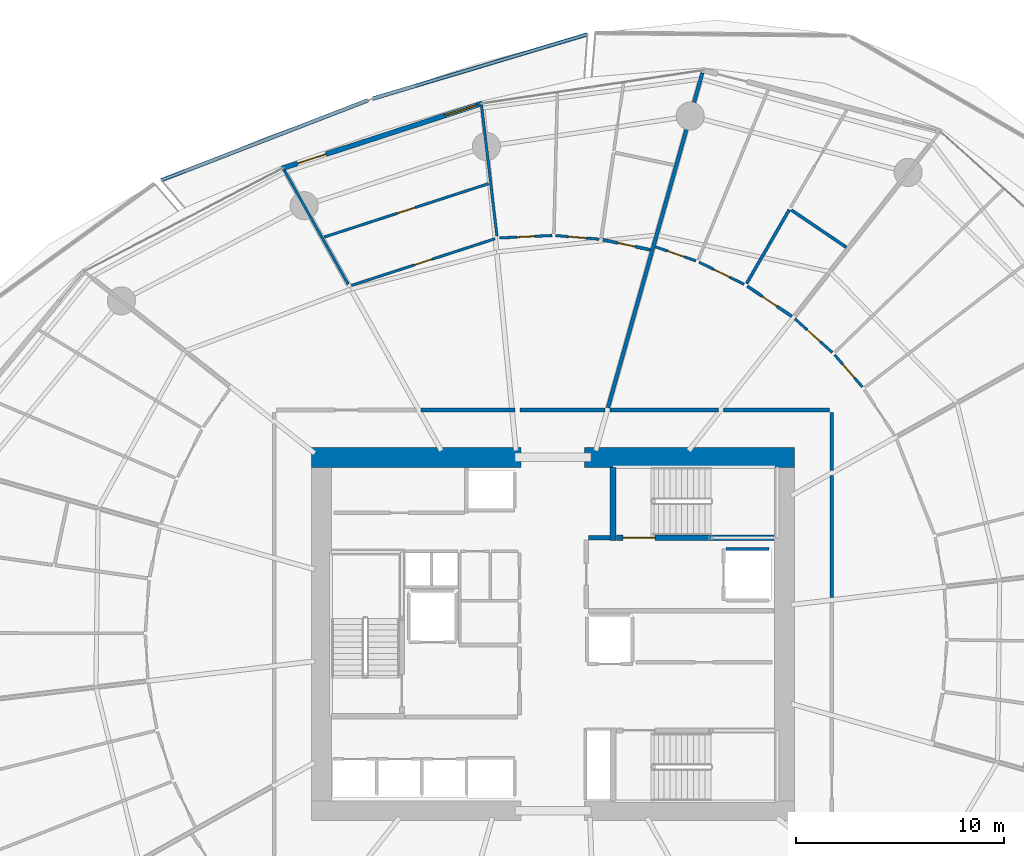
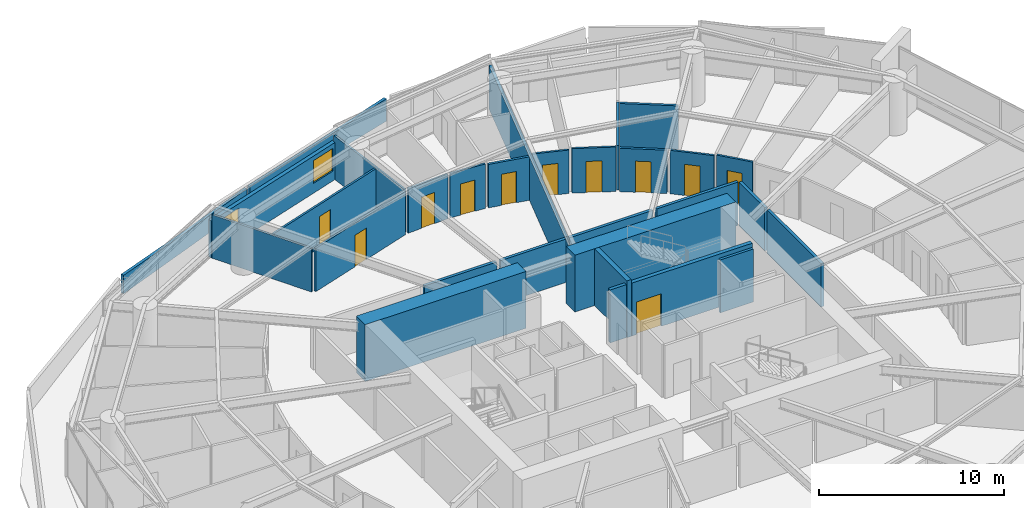
# One storey, part 23 of 31: 30 walls, 12 doors, 1 window, 13 openings.
"""IFC4 building model written with IfcOpenShell, lengths in metres."""

from ifc_helpers import new_model, si_unit, direction, frame, frame_2d, origin, place, context, subcontext, project, spatial, polyline, rectangle, outline, extrude, material, layer, layer_set, type_object, element, fill, save


model = new_model("IFC4")

# Units and contexts
model_context = context("Model", 3, precision=1e-05, world=origin(), true_north=direction((0.0, 1.0)))
body_context = subcontext(model_context, "Body", "Model", "MODEL_VIEW")
ifc_project = project(units=[si_unit("LENGTHUNIT", "METRE"), si_unit("AREAUNIT", "SQUARE_METRE"), si_unit("VOLUMEUNIT", "CUBIC_METRE"), si_unit("PLANEANGLEUNIT", "RADIAN"), si_unit("MASSUNIT", "GRAM", prefix="KILO")], contexts=[model_context])

# Site, building, storey
site_placement = place(None, origin())
site = spatial("IfcSite", under=ifc_project, at=site_placement, CompositionType="ELEMENT")
building_placement = place(site_placement, origin())
building = spatial("IfcBuilding", under=site, at=building_placement, Name="Kazma Halo Residences", CompositionType="ELEMENT")
storey_placement = place(building_placement, frame((0.0, 0.0, 41.39990234375)))
storey = spatial("IfcBuildingStorey", under=building, at=storey_placement, Name="L09", CompositionType="ELEMENT", Elevation=41.39990234375)

# Walls
ifc_material_1 = material(Name="White Concrete C50/60 Balustrade", Category="concrete")
ifc_layer_1 = layer(ifc_material_1, 0.179931640625)
ifc_layer_set_1 = layer_set([ifc_layer_1], Name="White Concrete C50/60 Balustrade")
wall_type_1 = type_object("IfcWallType", Name="WL-BAL-WAVE-180", PredefinedType="PARAPET", material=ifc_layer_set_1)
wall_1_placement = place(storey_placement, frame((50.08740234375, 70.7705078125, 0.0), z_axis=(0.0, 0.0, 1.0), x_axis=(-0.957966698042, -0.286879426664, 0.0)))
element("IfcWall", 1, at=wall_1_placement, inside=storey, type_object=wall_type_1, Name="L09 white wave balustrade wall NNW.1", PredefinedType="PARAPET", context=body_context, shape_type="SweptSolid", body=[
    extrude(outline(polyline([(0.0, 0.0), (10.758544921875, 0.0), (10.7587890625, 1.148193359375), (5.37939453125, 1.2841796875), (0.0, 1.483154296875), (0.0, 0.0)])), frame((0.0, 0.08984375, 0.0), z_axis=(0.0, -1.0, 0.0), x_axis=(1.0, 0.0, 0.0)), (0.0, 0.0, 1.0), 0.179931640625),
])
wall_2_placement = place(storey_placement, frame((39.553955078125, 67.606201171875, 0.0), z_axis=(0.0, 0.0, 1.0), x_axis=(-0.932670029618, -0.360730669409, 0.0)))
element("IfcWall", 2, at=wall_2_placement, inside=storey, type_object=wall_type_1, Name="L09 white wave balustrade wall NNW.2", PredefinedType="PARAPET", context=body_context, shape_type="SweptSolid", body=[
    extrude(outline(polyline([(0.0, 0.0), (10.634521484375, 0.0), (10.634521484375, 1.22412109375), (5.3173828125, 1.127197265625), (0.0, 1.148193359375), (0.0, 0.0)])), frame((0.0, 0.08984375, 0.0), z_axis=(0.0, -1.0, 0.0), x_axis=(1.0, 0.0, 0.0)), (0.0, 0.0, 1.0), 0.179931640625),
])
ifc_material_2 = material(Name="Concrete C80/95", Category="concrete")
ifc_layer_2 = layer(ifc_material_2, 0.949951171875)
ifc_layer_set_2 = layer_set([ifc_layer_2], Name="Concrete C80/95")
wall_type_2 = type_object("IfcWallType", Name="WL-CORE-950", PredefinedType="SHEAR", material=ifc_layer_set_2)
wall_3_placement = place(storey_placement, frame((36.85009765625, 50.47509765625, 0.0), z_axis=(0.0, 0.0, 1.0), x_axis=(1.0, 0.0, 0.0)))
element("IfcWall", 3, at=wall_3_placement, inside=storey, type_object=wall_type_2, Name="L09 central core shear wall NW", PredefinedType="SHEAR", context=body_context, shape_type="SweptSolid", body=[
    extrude(rectangle(XDim=10.0498046875, YDim=0.949951171875, at=frame_2d((5.02490234375, 0.0))), origin(), (0.0, 0.0, 1.0), 3.75),
])
wall_4_placement = place(storey_placement, frame((49.949951171875, 50.47509765625, 0.0), z_axis=(0.0, 0.0, 1.0), x_axis=(1.0, 0.0, 0.0)))
element("IfcWall", 4, at=wall_4_placement, inside=storey, type_object=wall_type_2, Name="L09 central core shear wall NE", PredefinedType="SHEAR", context=body_context, shape_type="SweptSolid", body=[
    extrude(rectangle(XDim=10.050048828125, YDim=0.949951171875, at=frame_2d((5.02490234375, 0.0))), origin(), (0.0, 0.0, 1.0), 3.75),
])
ifc_material_3 = material(Name="Concrete C60/75", Category="concrete")
ifc_layer_3 = layer(ifc_material_3, 0.280029296875)
ifc_layer_set_3 = layer_set([ifc_layer_3], Name="Concrete C60/75")
wall_type_3 = type_object("IfcWallType", Name="WL-CORE-ST-280", PredefinedType="SHEAR", material=ifc_layer_set_3)
wall_5_placement = place(storey_placement, frame((51.31005859375, 46.5, 0.0), z_axis=(0.0, 0.0, 1.0), x_axis=(0.0, 1.0, 0.0)))
element("IfcWall", 5, at=wall_5_placement, inside=storey, type_object=wall_type_3, Name="L09 stairwell bearing wall ST02-W", PredefinedType="SHEAR", context=body_context, shape_type="SweptSolid", body=[
    extrude(rectangle(XDim=3.5, YDim=0.280029296875, at=frame_2d((1.75, 0.0))), origin(), (0.0, 0.0, 1.0), 3.75),
])
ifc_material_4 = material(Name="Acoustic Twin-Stud Gypsum")
ifc_layer_4 = layer(ifc_material_4, 0.179931640625)
ifc_layer_set_4 = layer_set([ifc_layer_4], Name="Acoustic Twin-Stud Gypsum")
wall_type_4 = type_object("IfcWallType", Name="WL-DEM-180", PredefinedType="PARTITIONING", material=ifc_layer_set_4)
wall_6_placement = place(storey_placement, frame((51.061767578125, 52.85595703125, 0.0), z_axis=(0.0, 0.0, 1.0), x_axis=(0.27143758514, 0.962456044385, 0.0)))
element("IfcWall", 6, at=wall_6_placement, inside=storey, type_object=wall_type_4, Name="L09 apartment demising radial wall 02", PredefinedType="PARTITIONING", context=body_context, shape_type="SweptSolid", body=[
    extrude(rectangle(XDim=16.692626953125, YDim=0.179931640625, at=frame_2d((8.34619140625, 0.0))), origin(), (0.0, 0.0, 1.0), 2.8671875),
])
wall_7_placement = place(storey_placement, frame((50.911865234375, 52.75, 0.0), z_axis=(0.0, 0.0, 1.0), x_axis=(-1.0, 0.0, 0.0)))
element("IfcWall", 7, at=wall_7_placement, inside=storey, type_object=wall_type_4, Name="L09 Apartment 1 inner wall 2", PredefinedType="PARTITIONING", context=body_context, shape_type="SweptSolid", body=[
    extrude(rectangle(XDim=4.064208984375, YDim=0.179931640625, at=frame_2d((2.0322265625, 0.0))), origin(), (0.0, 0.0, 1.0), 2.8671875),
])
wall_8_placement = place(storey_placement, frame((46.607666015625, 52.75, 0.0), z_axis=(0.0, 0.0, 1.0), x_axis=(-1.0, 0.0, 0.0)))
element("IfcWall", 8, at=wall_8_placement, inside=storey, type_object=wall_type_4, Name="L09 Apartment 1 inner wall 3", PredefinedType="PARTITIONING", context=body_context, shape_type="SweptSolid", body=[
    extrude(rectangle(XDim=4.508056640625, YDim=0.179931640625, at=frame_2d((2.25390625, 0.0))), origin(), (0.0, 0.0, 1.0), 2.8671875),
])
wall_9_placement = place(storey_placement, frame((61.800048828125, 43.75341796875, 0.0), z_axis=(0.0, 0.0, 1.0), x_axis=(0.0, 1.0, 0.0)))
element("IfcWall", 9, at=wall_9_placement, inside=storey, type_object=wall_type_4, Name="L09 Apartment 3 inner wall 15", PredefinedType="PARTITIONING", context=body_context, shape_type="SweptSolid", body=[
    extrude(rectangle(XDim=5.85498046875, YDim=0.179931640625, at=frame_2d((2.927490234375, 0.0))), origin(), (0.0, 0.0, 1.0), 2.8671875),
])
wall_10_placement = place(storey_placement, frame((61.800048828125, 49.848388671875, 0.0), z_axis=(0.0, 0.0, 1.0), x_axis=(0.0, 1.0, 0.0)))
element("IfcWall", 10, at=wall_10_placement, inside=storey, type_object=wall_type_4, Name="L09 Apartment 3 inner wall 0", PredefinedType="PARTITIONING", context=body_context, shape_type="SweptSolid", body=[
    extrude(rectangle(XDim=2.781494140625, YDim=0.179931640625, at=frame_2d((1.390625, 0.0))), origin(), (0.0, 0.0, 1.0), 2.8671875),
])
wall_11_placement = place(storey_placement, frame((61.679931640625, 52.75, 0.0), z_axis=(0.0, 0.0, 1.0), x_axis=(-1.0, 0.0, 0.0)))
element("IfcWall", 11, at=wall_11_placement, inside=storey, type_object=wall_type_4, Name="L09 Apartment 3 inner wall 0", PredefinedType="PARTITIONING", context=body_context, shape_type="SweptSolid", body=[
    extrude(rectangle(XDim=5.08544921875, YDim=0.179931640625, at=frame_2d((2.542724609375, 0.0))), origin(), (0.0, 0.0, 1.0), 2.8671875),
])
wall_12_placement = place(storey_placement, frame((56.3544921875, 52.75, 0.0), z_axis=(0.0, 0.0, 1.0), x_axis=(-1.0, 0.0, 0.0)))
element("IfcWall", 12, at=wall_12_placement, inside=storey, type_object=wall_type_4, Name="L09 Apartment 3 inner wall 1", PredefinedType="PARTITIONING", context=body_context, shape_type="SweptSolid", body=[
    extrude(rectangle(XDim=5.20263671875, YDim=0.179931640625, at=frame_2d((2.601318359375, 0.0))), origin(), (0.0, 0.0, 1.0), 2.8671875),
])

# Wall, openings, door, window
ifc_material_5 = material(Name="Insulated Pale-Metal Composite Wall")
ifc_layer_5 = layer(ifc_material_5, 0.239990234375)
ifc_layer_set_5 = layer_set([ifc_layer_5], Name="Insulated Pale-Metal Composite Wall")
wall_type_5 = type_object("IfcWallType", Name="WL-EXT-HOST-240", PredefinedType="SOLIDWALL", material=ifc_layer_set_5)
wall_13_placement = place(storey_placement, frame((45.0361328125, 67.45849609375, 0.0), z_axis=(0.0, 0.0, 1.0), x_axis=(-0.951054679225, -0.309022648238, 0.0)))
wall_13 = element("IfcWall", 13, at=wall_13_placement, inside=storey, type_object=wall_type_5, Name="L09 exterior terrace-access wall B04", PredefinedType="SOLIDWALL", context=body_context, shape_type="SweptSolid", body=[
    extrude(rectangle(XDim=10.0966796875, YDim=0.239990234375, at=frame_2d((5.04833984375, 0.0))), origin(), (0.0, 0.0, 1.0), 2.4501953125),
])
opening_1_placement = place(wall_13_placement, frame((7.876708984375, 0.0, 0.0)))
opening_1 = element("IfcOpeningElement", 14, at=opening_1_placement, cuts=wall_13, Name="Opening DTR-1600", PredefinedType="OPENING", context=body_context, shape_type="SweptSolid", body=[
    extrude(rectangle(XDim=1.449951171875, YDim=2.14990234375, at=frame_2d((0.72509765625, 1.074951171875))), frame((0.0, 0.1298828125, 0.0), z_axis=(0.0, -1.0, 0.0), x_axis=(1.0, 0.0, 0.0)), (0.0, 0.0, 1.0), 0.260009765625),
])
opening_2_placement = place(wall_13_placement, frame((0.280029296875, 0.0, 0.64990234375)))
opening_2 = element("IfcOpeningElement", 15, at=opening_2_placement, cuts=wall_13, Name="Opening W-1800", PredefinedType="OPENING", context=body_context, shape_type="SweptSolid", body=[
    extrude(rectangle(XDim=1.60009765625, YDim=1.5, at=frame_2d((0.800048828125, 0.75))), frame((0.0, 0.1298828125, 0.0), z_axis=(0.0, -1.0, 0.0), x_axis=(1.0, 0.0, 0.0)), (0.0, 0.0, 1.0), 0.260009765625),
])
ifc_material_6 = material(Name="Aluminium AW-6063 T6 Double-Glazed Terrace Door", Category="aluminium")
door_type_1 = type_object("IfcDoorType", Name="DR-EXT-TERR-1600", OperationType="NOTDEFINED", PredefinedType="DOOR", material=ifc_material_6)
door_1_placement = place(opening_1_placement, origin())
door_1 = element("IfcDoor", 16, at=door_1_placement, inside=storey, type_object=door_type_1, Name="L09 B04 balcony terrace door", OperationType="DOUBLE_DOOR_SLIDING", OverallHeight=2.14990234375, OverallWidth=1.449951171875, PredefinedType="DOOR", context=body_context, shape_type="SweptSolid", body=[
    extrude(rectangle(XDim=1.449951171875, YDim=2.14990234375, at=frame_2d((0.72509765625, 1.074951171875))), frame((0.0, 0.02490234375, 0.0), z_axis=(0.0, -1.0, 0.0), x_axis=(1.0, 0.0, 0.0)), (0.0, 0.0, 1.0), 0.050048828125),
])
fill(opening_1, door_1)
ifc_material_7 = material(Name="Clear Triple-Silver Low-E Glass in Aluminium AW-6063 T6 Frame", Category="aluminium")
window_type = type_object("IfcWindowType", Name="WIN-RES-1800", PartitioningType="DOUBLE_PANEL_VERTICAL", PredefinedType="WINDOW", material=ifc_material_7)
window_placement = place(opening_2_placement, origin())
window = element("IfcWindow", 17, at=window_placement, inside=storey, type_object=window_type, Name="L09 B04 apartment window", OverallHeight=1.5, OverallWidth=1.60009765625, PartitioningType="SINGLE_PANEL", PredefinedType="WINDOW", context=body_context, shape_type="SweptSolid", body=[
    extrude(rectangle(XDim=1.60009765625, YDim=1.5, at=frame_2d((0.800048828125, 0.75))), frame((0.0, 0.030029296875, 0.0), z_axis=(0.0, -1.0, 0.0), x_axis=(1.0, 0.0, 0.0)), (0.0, 0.0, 1.0), 0.06005859375),
])
fill(opening_2, window)

# Walls
ifc_material_8 = material(Name="Fire-Rated Blockwork Masonry", Category="masonry")
ifc_layer_6 = layer(ifc_material_8, 0.199951171875)
ifc_layer_set_6 = layer_set([ifc_layer_6], Name="Fire-Rated Blockwork Masonry")
wall_type_6 = type_object("IfcWallType", Name="WL-FLB-200", PredefinedType="PARTITIONING", material=ifc_layer_set_6)
wall_14_placement = place(storey_placement, frame((56.719970703125, 46.080078125, 0.0), z_axis=(0.0, 0.0, 1.0), x_axis=(1.0, 0.0, 0.0)))
element("IfcWall", 18, at=wall_14_placement, inside=storey, type_object=wall_type_6, Name="L09 lift shaft FL-02 side wall N", PredefinedType="PARTITIONING", context=body_context, shape_type="SweptSolid", body=[
    extrude(rectangle(XDim=2.06005859375, YDim=0.159912109375, at=frame_2d((1.030029296875, 0.0))), origin(), (0.0, 0.0, 1.0), 3.5),
])
wall_15_placement = place(storey_placement, frame((50.139892578125, 46.6201171875, 0.0), z_axis=(0.0, 0.0, 1.0), x_axis=(1.0, 0.0, 0.0)))
element("IfcWall", 19, at=wall_15_placement, inside=storey, type_object=wall_type_6, Name="L09 east firefighting lobby north closure wall", PredefinedType="PARTITIONING", context=body_context, shape_type="SweptSolid", body=[
    extrude(rectangle(XDim=1.02001953125, YDim=0.199951171875, at=frame_2d((0.510009765625, 0.0))), origin(), (0.0, 0.0, 1.0), 3.5),
])

# Wall, opening, door
ifc_material_9 = material(Name="Gypsum Plasterboard Partition")
ifc_layer_7 = layer(ifc_material_9, 0.125)
ifc_layer_set_7 = layer_set([ifc_layer_7], Name="Gypsum Plasterboard Partition")
wall_type_7 = type_object("IfcWallType", Name="WL-PART-125", PredefinedType="PARTITIONING", material=ifc_layer_set_7)
wall_16_placement = place(storey_placement, frame((50.642822265625, 60.94140625, 0.0), z_axis=(0.0, 0.0, 1.0), x_axis=(-0.996476516502, 0.083872236525, 0.0)))
wall_16 = element("IfcWall", 20, at=wall_16_placement, inside=storey, type_object=wall_type_7, Name="L09 Apartment 1 Gourmet Kitchen hall wall", PredefinedType="PARTITIONING", context=body_context, shape_type="SweptSolid", body=[
    extrude(rectangle(XDim=2.1015625, YDim=0.125, at=frame_2d((1.05078125, 0.0))), origin(), (0.0, 0.0, 1.0), 2.940185546875),
])
opening_3_placement = place(wall_16_placement, frame((0.6259765625, 0.0, 0.0)))
opening_3 = element("IfcOpeningElement", 21, at=opening_3_placement, cuts=wall_16, Name="Opening DB-900", PredefinedType="OPENING", context=body_context, shape_type="SweptSolid", body=[
    extrude(rectangle(XDim=0.85009765625, YDim=2.06005859375, at=frame_2d((0.425048828125, 1.030029296875))), frame((0.0, 0.072509765625, 0.0), z_axis=(0.0, -1.0, 0.0), x_axis=(1.0, 0.0, 0.0)), (0.0, 0.0, 1.0), 0.14501953125),
])
ifc_material_10 = material(Name="Moisture-Sealed Timber Leaf", Category="wood")
door_type_2 = type_object("IfcDoorType", Name="DR-BTH-900", OperationType="NOTDEFINED", PredefinedType="DOOR", material=ifc_material_10)
door_2_placement = place(opening_3_placement, origin())
door_2 = element("IfcDoor", 22, at=door_2_placement, inside=storey, type_object=door_type_2, Name="L09 Apartment 1 Gourmet Kitchen door", OperationType="SINGLE_SWING_RIGHT", OverallHeight=2.06005859375, OverallWidth=0.85009765625, PredefinedType="DOOR", context=body_context, shape_type="SweptSolid", body=[
    extrude(rectangle(XDim=0.85009765625, YDim=2.06005859375, at=frame_2d((0.425048828125, 1.030029296875))), frame((0.0, 0.02490234375, 0.0), z_axis=(0.0, -1.0, 0.0), x_axis=(1.0, 0.0, 0.0)), (0.0, 0.0, 1.0), 0.050048828125),
])
fill(opening_3, door_2)

wall_17_placement = place(storey_placement, frame((48.388916015625, 61.12060546875, 0.0), z_axis=(0.0, 0.0, 1.0), x_axis=(-0.998913125069, -0.046610820248, 0.0)))
wall_17 = element("IfcWall", 23, at=wall_17_placement, inside=storey, type_object=wall_type_7, Name="L09 Apartment 1 Primary Bedroom hall wall", PredefinedType="PARTITIONING", context=body_context, shape_type="SweptSolid", body=[
    extrude(rectangle(XDim=2.540283203125, YDim=0.125, at=frame_2d((1.27001953125, 0.0))), origin(), (0.0, 0.0, 1.0), 2.940185546875),
])
opening_4_placement = place(wall_17_placement, frame((0.84521484375, 0.0, 0.0)))
opening_4 = element("IfcOpeningElement", 24, at=opening_4_placement, cuts=wall_17, Name="Opening DB-900", PredefinedType="OPENING", context=body_context, shape_type="SweptSolid", body=[
    extrude(rectangle(XDim=0.85009765625, YDim=2.06005859375, at=frame_2d((0.425048828125, 1.030029296875))), frame((0.0, 0.072509765625, 0.0), z_axis=(0.0, -1.0, 0.0), x_axis=(1.0, 0.0, 0.0)), (0.0, 0.0, 1.0), 0.14501953125),
])
door_3_placement = place(opening_4_placement, origin())
door_3 = element("IfcDoor", 25, at=door_3_placement, inside=storey, type_object=door_type_2, Name="L09 Apartment 1 Primary Bedroom door", OperationType="SINGLE_SWING_LEFT", OverallHeight=2.06005859375, OverallWidth=0.85009765625, PredefinedType="DOOR", context=body_context, shape_type="SweptSolid", body=[
    extrude(rectangle(XDim=0.85009765625, YDim=2.06005859375, at=frame_2d((0.425048828125, 1.030029296875))), frame((0.0, 0.02490234375, 0.0), z_axis=(0.0, -1.0, 0.0), x_axis=(1.0, 0.0, 0.0)), (0.0, 0.0, 1.0), 0.050048828125),
])
fill(opening_4, door_3)

# Walls
wall_18_placement = place(storey_placement, frame((45.73974609375, 61.0966796875, 0.0), z_axis=(0.0, 0.0, 1.0), x_axis=(-0.117513247181, 0.993071315031, 0.0)))
element("IfcWall", 26, at=wall_18_placement, inside=storey, type_object=wall_type_7, Name="L09 Apartment 1 radial partition 3", PredefinedType="PARTITIONING", context=body_context, shape_type="SweptSolid", body=[
    extrude(rectangle(XDim=6.36572265625, YDim=0.125, at=frame_2d((3.182861328125, 0.0))), origin(), (0.0, 0.0, 1.0), 2.8671875),
])
wall_19_placement = place(storey_placement, frame((38.603759765625, 58.778076171875, 0.0), z_axis=(0.0, 0.0, 1.0), x_axis=(-0.488617606889, 0.872498042541, 0.0)))
element("IfcWall", 27, at=wall_19_placement, inside=storey, type_object=wall_type_7, Name="L09 Apartment 1 living radial partition 3", PredefinedType="PARTITIONING", context=body_context, shape_type="SweptSolid", body=[
    extrude(rectangle(XDim=6.265625, YDim=0.125, at=frame_2d((3.1328125, 0.0))), origin(), (0.0, 0.0, 1.0), 2.8671875),
])

# Wall, opening, door
wall_20_placement = place(storey_placement, frame((45.64697265625, 60.96337890625, 0.0), z_axis=(0.0, 0.0, 1.0), x_axis=(-0.95105883225, -0.309009866509, 0.0)))
wall_20 = element("IfcWall", 28, at=wall_20_placement, inside=storey, type_object=wall_type_7, Name="L09 Apartment 1 East Study hall wall", PredefinedType="PARTITIONING", context=body_context, shape_type="SweptSolid", body=[
    extrude(rectangle(XDim=7.244140625, YDim=0.125, at=frame_2d((3.6220703125, 0.0))), origin(), (0.0, 0.0, 1.0), 2.8671875),
])
opening_5_placement = place(wall_20_placement, frame((3.172119140625, 0.0, 0.0)))
opening_5 = element("IfcOpeningElement", 29, at=opening_5_placement, cuts=wall_20, Name="Opening DI-950", PredefinedType="OPENING", context=body_context, shape_type="SweptSolid", body=[
    extrude(rectangle(XDim=0.89990234375, YDim=2.080078125, at=frame_2d((0.449951171875, 1.0400390625))), frame((0.0, 0.072509765625, 0.0), z_axis=(0.0, -1.0, 0.0), x_axis=(1.0, 0.0, 0.0)), (0.0, 0.0, 1.0), 0.14501953125),
])
ifc_material_11 = material(Name="Timber Veneer Flush Leaf", Category="wood")
door_type_3 = type_object("IfcDoorType", Name="DR-INT-950", OperationType="NOTDEFINED", PredefinedType="DOOR", material=ifc_material_11)
door_4_placement = place(opening_5_placement, origin())
door_4 = element("IfcDoor", 30, at=door_4_placement, inside=storey, type_object=door_type_3, Name="L09 Apartment 1 East Study door", OperationType="SINGLE_SWING_LEFT", OverallHeight=2.080078125, OverallWidth=0.89990234375, PredefinedType="DOOR", context=body_context, shape_type="SweptSolid", body=[
    extrude(rectangle(XDim=0.89990234375, YDim=2.080078125, at=frame_2d((0.449951171875, 1.0400390625))), frame((0.0, 0.02490234375, 0.0), z_axis=(0.0, -1.0, 0.0), x_axis=(1.0, 0.0, 0.0)), (0.0, 0.0, 1.0), 0.050048828125),
])
fill(opening_5, door_4)

wall_21_placement = place(storey_placement, frame((45.334228515625, 63.60498046875, 0.0), z_axis=(0.0, 0.0, 1.0), x_axis=(-0.951055512715, -0.309020083061, 0.0)))
wall_21 = element("IfcWall", 31, at=wall_21_placement, inside=storey, type_object=wall_type_7, Name="L09 Apartment 1 West Bedroom divider wall", PredefinedType="PARTITIONING", context=body_context, shape_type="SweptSolid", body=[
    extrude(rectangle(XDim=8.281982421875, YDim=0.125, at=frame_2d((4.14111328125, 0.0))), origin(), (0.0, 0.0, 1.0), 2.8671875),
])
opening_6_placement = place(wall_21_placement, frame((3.691162109375, 0.0, 0.0)))
opening_6 = element("IfcOpeningElement", 32, at=opening_6_placement, cuts=wall_21, Name="Opening DI-950", PredefinedType="OPENING", context=body_context, shape_type="SweptSolid", body=[
    extrude(rectangle(XDim=0.89990234375, YDim=2.080078125, at=frame_2d((0.449951171875, 1.0400390625))), frame((0.0, 0.072509765625, 0.0), z_axis=(0.0, -1.0, 0.0), x_axis=(1.0, 0.0, 0.0)), (0.0, 0.0, 1.0), 0.14501953125),
])
door_5_placement = place(opening_6_placement, origin())
door_5 = element("IfcDoor", 33, at=door_5_placement, inside=storey, type_object=door_type_3, Name="L09 Apartment 1 West Bedroom door", OperationType="SINGLE_SWING_RIGHT", OverallHeight=2.080078125, OverallWidth=0.89990234375, PredefinedType="DOOR", context=body_context, shape_type="SweptSolid", body=[
    extrude(rectangle(XDim=0.89990234375, YDim=2.080078125, at=frame_2d((0.449951171875, 1.0400390625))), frame((0.0, 0.02490234375, 0.0), z_axis=(0.0, -1.0, 0.0), x_axis=(1.0, 0.0, 0.0)), (0.0, 0.0, 1.0), 0.050048828125),
])
fill(opening_6, door_5)

wall_22_placement = place(storey_placement, frame((63.270263671875, 53.849853515625, 0.0), z_axis=(0.0, 0.0, 1.0), x_axis=(-0.653978023322, 0.756513545822, 0.0)))
wall_22 = element("IfcWall", 34, at=wall_22_placement, inside=storey, type_object=wall_type_7, Name="L09 Apartment 3 South Study hall wall", PredefinedType="PARTITIONING", context=body_context, shape_type="SweptSolid", body=[
    extrude(rectangle(XDim=2.04052734375, YDim=0.125, at=frame_2d((1.020263671875, 0.0))), origin(), (0.0, 0.0, 1.0), 2.940185546875),
])
opening_7_placement = place(wall_22_placement, frame((0.59521484375, 0.0, 0.0)))
opening_7 = element("IfcOpeningElement", 35, at=opening_7_placement, cuts=wall_22, Name="Opening DB-900", PredefinedType="OPENING", context=body_context, shape_type="SweptSolid", body=[
    extrude(rectangle(XDim=0.85009765625, YDim=2.06005859375, at=frame_2d((0.425048828125, 1.030029296875))), frame((0.0, 0.072509765625, 0.0), z_axis=(0.0, -1.0, 0.0), x_axis=(1.0, 0.0, 0.0)), (0.0, 0.0, 1.0), 0.14501953125),
])
door_6_placement = place(opening_7_placement, origin())
door_6 = element("IfcDoor", 36, at=door_6_placement, inside=storey, type_object=door_type_2, Name="L09 Apartment 3 South Study door", OperationType="SINGLE_SWING_RIGHT", OverallHeight=2.06005859375, OverallWidth=0.85009765625, PredefinedType="DOOR", context=body_context, shape_type="SweptSolid", body=[
    extrude(rectangle(XDim=0.85009765625, YDim=2.06005859375, at=frame_2d((0.425048828125, 1.030029296875))), frame((0.0, 0.02490234375, 0.0), z_axis=(0.0, -1.0, 0.0), x_axis=(1.0, 0.0, 0.0)), (0.0, 0.0, 1.0), 0.050048828125),
])
fill(opening_7, door_6)

wall_23_placement = place(storey_placement, frame((61.82421875, 55.5078125, 0.0), z_axis=(0.0, 0.0, 1.0), x_axis=(-0.742309867555, 0.670056759185, 0.0)))
wall_23 = element("IfcWall", 37, at=wall_23_placement, inside=storey, type_object=wall_type_7, Name="L09 Apartment 3 Inner Master Bedroom hall wall", PredefinedType="PARTITIONING", context=body_context, shape_type="SweptSolid", body=[
    extrude(rectangle(XDim=2.41943359375, YDim=0.125, at=frame_2d((1.209716796875, 0.0))), origin(), (0.0, 0.0, 1.0), 2.8671875),
])
opening_8_placement = place(wall_23_placement, frame((0.78466796875, 0.0, 0.0)))
opening_8 = element("IfcOpeningElement", 38, at=opening_8_placement, cuts=wall_23, Name="Opening DB-900", PredefinedType="OPENING", context=body_context, shape_type="SweptSolid", body=[
    extrude(rectangle(XDim=0.85009765625, YDim=2.06005859375, at=frame_2d((0.425048828125, 1.030029296875))), frame((0.0, 0.072509765625, 0.0), z_axis=(0.0, -1.0, 0.0), x_axis=(1.0, 0.0, 0.0)), (0.0, 0.0, 1.0), 0.14501953125),
])
door_7_placement = place(opening_8_placement, origin())
door_7 = element("IfcDoor", 39, at=door_7_placement, inside=storey, type_object=door_type_2, Name="L09 Apartment 3 Inner Master Bedroom door", OperationType="SINGLE_SWING_LEFT", OverallHeight=2.06005859375, OverallWidth=0.85009765625, PredefinedType="DOOR", context=body_context, shape_type="SweptSolid", body=[
    extrude(rectangle(XDim=0.85009765625, YDim=2.06005859375, at=frame_2d((0.425048828125, 1.030029296875))), frame((0.0, 0.02490234375, 0.0), z_axis=(0.0, -1.0, 0.0), x_axis=(1.0, 0.0, 0.0)), (0.0, 0.0, 1.0), 0.050048828125),
])
fill(opening_8, door_7)

wall_24_placement = place(storey_placement, frame((57.590087890625, 58.780029296875, 0.0), z_axis=(0.0, 0.0, 1.0), x_axis=(-0.897253651849, 0.44151544055, 0.0)))
wall_24 = element("IfcWall", 40, at=wall_24_placement, inside=storey, type_object=wall_type_7, Name="L09 Apartment 3 Garden Private Study hall wall", PredefinedType="PARTITIONING", context=body_context, shape_type="SweptSolid", body=[
    extrude(rectangle(XDim=2.403076171875, YDim=0.125, at=frame_2d((1.20166015625, 0.0))), origin(), (0.0, 0.0, 1.0), 2.940185546875),
])
opening_9_placement = place(wall_24_placement, frame((0.776611328125, 0.0, 0.0)))
opening_9 = element("IfcOpeningElement", 41, at=opening_9_placement, cuts=wall_24, Name="Opening DB-900", PredefinedType="OPENING", context=body_context, shape_type="SweptSolid", body=[
    extrude(rectangle(XDim=0.85009765625, YDim=2.06005859375, at=frame_2d((0.425048828125, 1.030029296875))), frame((0.0, 0.072509765625, 0.0), z_axis=(0.0, -1.0, 0.0), x_axis=(1.0, 0.0, 0.0)), (0.0, 0.0, 1.0), 0.14501953125),
])
door_8_placement = place(opening_9_placement, origin())
door_8 = element("IfcDoor", 42, at=door_8_placement, inside=storey, type_object=door_type_2, Name="L09 Apartment 3 Garden Private Study door", OperationType="SINGLE_SWING_LEFT", OverallHeight=2.06005859375, OverallWidth=0.85009765625, PredefinedType="DOOR", context=body_context, shape_type="SweptSolid", body=[
    extrude(rectangle(XDim=0.85009765625, YDim=2.06005859375, at=frame_2d((0.425048828125, 1.030029296875))), frame((0.0, 0.02490234375, 0.0), z_axis=(0.0, -1.0, 0.0), x_axis=(1.0, 0.0, 0.0)), (0.0, 0.0, 1.0), 0.050048828125),
])
fill(opening_9, door_8)

wall_25_placement = place(storey_placement, frame((55.286376953125, 59.902587890625, 0.0), z_axis=(0.0, 0.0, 1.0), x_axis=(-0.945148238154, 0.326641711842, 0.0)))
wall_25 = element("IfcWall", 43, at=wall_25_placement, inside=storey, type_object=wall_type_7, Name="L09 Apartment 3 Sky Master Bedroom hall wall", PredefinedType="PARTITIONING", context=body_context, shape_type="SweptSolid", body=[
    extrude(rectangle(XDim=2.056884765625, YDim=0.125, at=frame_2d((1.0283203125, 0.0))), origin(), (0.0, 0.0, 1.0), 2.8671875),
])
opening_10_placement = place(wall_25_placement, frame((0.603515625, 0.0, 0.0)))
opening_10 = element("IfcOpeningElement", 44, at=opening_10_placement, cuts=wall_25, Name="Opening DB-900", PredefinedType="OPENING", context=body_context, shape_type="SweptSolid", body=[
    extrude(rectangle(XDim=0.85009765625, YDim=2.06005859375, at=frame_2d((0.425048828125, 1.030029296875))), frame((0.0, 0.072509765625, 0.0), z_axis=(0.0, -1.0, 0.0), x_axis=(1.0, 0.0, 0.0)), (0.0, 0.0, 1.0), 0.14501953125),
])
door_9_placement = place(opening_10_placement, origin())
door_9 = element("IfcDoor", 45, at=door_9_placement, inside=storey, type_object=door_type_2, Name="L09 Apartment 3 Sky Master Bedroom door", OperationType="SINGLE_SWING_RIGHT", OverallHeight=2.06005859375, OverallWidth=0.85009765625, PredefinedType="DOOR", context=body_context, shape_type="SweptSolid", body=[
    extrude(rectangle(XDim=0.85009765625, YDim=2.06005859375, at=frame_2d((0.425048828125, 1.030029296875))), frame((0.0, 0.02490234375, 0.0), z_axis=(0.0, -1.0, 0.0), x_axis=(1.0, 0.0, 0.0)), (0.0, 0.0, 1.0), 0.050048828125),
])
fill(opening_10, door_9)

ifc_material_12 = material(Name="Concrete C50/60", Category="concrete")
ifc_layer_8 = layer(ifc_material_12, 0.25)
ifc_layer_set_8 = layer_set([ifc_layer_8], Name="Concrete C50/60")
wall_type_8 = type_object("IfcWallType", Name="WL-SHF-250", PredefinedType="SOLIDWALL", material=ifc_layer_set_8)
wall_26_placement = place(storey_placement, frame((51.47998046875, 46.6201171875, 0.0), z_axis=(0.0, 0.0, 1.0), x_axis=(1.0, 0.0, 0.0)))
wall_26 = element("IfcWall", 46, at=wall_26_placement, inside=storey, type_object=wall_type_8, Name="L09 exit stair ST-02 enclosure wall", PredefinedType="SOLIDWALL", context=body_context, shape_type="SweptSolid", body=[
    extrude(rectangle(XDim=7.5400390625, YDim=0.25, at=frame_2d((3.77001953125, 0.0))), origin(), (0.0, 0.0, 1.0), 3.5),
])
opening_11_placement = place(wall_26_placement, frame((0.300048828125, 0.0, 0.0)))
opening_11 = element("IfcOpeningElement", 47, at=opening_11_placement, cuts=wall_26, Name="Opening D-ST2", PredefinedType="OPENING", context=body_context, shape_type="SweptSolid", body=[
    extrude(rectangle(XDim=1.550048828125, YDim=2.14990234375, at=frame_2d((0.77490234375, 1.074951171875))), frame((0.0, 0.135009765625, 0.0), z_axis=(0.0, -1.0, 0.0), x_axis=(1.0, 0.0, 0.0)), (0.0, 0.0, 1.0), 0.27001953125),
])
ifc_material_13 = material(Name="Fire-Rated Double Steel Leaf", Category="steel")
door_type_4 = type_object("IfcDoorType", Name="DR-FD90-1550", OperationType="NOTDEFINED", PredefinedType="DOOR", material=ifc_material_13)
door_10_placement = place(opening_11_placement, origin())
door_10 = element("IfcDoor", 48, at=door_10_placement, inside=storey, type_object=door_type_4, Name="L09 exit stair ST-02 fire door", OperationType="DOUBLE_DOOR_SINGLE_SWING", OverallHeight=2.14990234375, OverallWidth=1.550048828125, PredefinedType="DOOR", context=body_context, shape_type="SweptSolid", body=[
    extrude(rectangle(XDim=1.550048828125, YDim=2.14990234375, at=frame_2d((0.77490234375, 1.074951171875))), frame((0.0, 0.02490234375, 0.0), z_axis=(0.0, -1.0, 0.0), x_axis=(1.0, 0.0, 0.0)), (0.0, 0.0, 1.0), 0.050048828125),
])
fill(opening_11, door_10)

ifc_material_14 = material(Name="Moisture-Resistant Gypsum")
ifc_layer_9 = layer(ifc_material_14, 0.14990234375)
ifc_layer_set_9 = layer_set([ifc_layer_9], Name="Moisture-Resistant Gypsum")
wall_type_9 = type_object("IfcWallType", Name="WL-WET-150", PredefinedType="PARTITIONING", material=ifc_layer_set_9)
wall_27_placement = place(storey_placement, frame((53.094970703125, 60.4326171875, 0.0), z_axis=(0.0, 0.0, 1.0), x_axis=(-0.978236708656, 0.207492028371, 0.0)))
wall_27 = element("IfcWall", 49, at=wall_27_placement, inside=storey, type_object=wall_type_9, Name="L09 Apartment 1 Guest Bathroom hall wall", PredefinedType="PARTITIONING", context=body_context, shape_type="SweptSolid", body=[
    extrude(rectangle(XDim=2.324951171875, YDim=0.14990234375, at=frame_2d((1.16259765625, 0.0))), origin(), (0.0, 0.0, 1.0), 2.8671875),
])
opening_12_placement = place(wall_27_placement, frame((0.737548828125, 0.0, 0.0)))
opening_12 = element("IfcOpeningElement", 50, at=opening_12_placement, cuts=wall_27, Name="Opening DB-900", PredefinedType="OPENING", context=body_context, shape_type="SweptSolid", body=[
    extrude(rectangle(XDim=0.85009765625, YDim=2.06005859375, at=frame_2d((0.425048828125, 1.030029296875))), frame((0.0, 0.0849609375, 0.0), z_axis=(0.0, -1.0, 0.0), x_axis=(1.0, 0.0, 0.0)), (0.0, 0.0, 1.0), 0.169921875),
])
door_11_placement = place(opening_12_placement, origin())
door_11 = element("IfcDoor", 51, at=door_11_placement, inside=storey, type_object=door_type_2, Name="L09 Apartment 1 Guest Bathroom door", OperationType="SINGLE_SWING_RIGHT", OverallHeight=2.06005859375, OverallWidth=0.85009765625, PredefinedType="DOOR", context=body_context, shape_type="SweptSolid", body=[
    extrude(rectangle(XDim=0.85009765625, YDim=2.06005859375, at=frame_2d((0.425048828125, 1.030029296875))), frame((0.0, 0.02490234375, 0.0), z_axis=(0.0, -1.0, 0.0), x_axis=(1.0, 0.0, 0.0)), (0.0, 0.0, 1.0), 0.050048828125),
])
fill(opening_12, door_11)

wall_28_placement = place(storey_placement, frame((59.885986328125, 57.238525390625, 0.0), z_axis=(0.0, 0.0, 1.0), x_axis=(-0.82772633423, 0.56113199483, 0.0)))
wall_28 = element("IfcWall", 52, at=wall_28_placement, inside=storey, type_object=wall_type_9, Name="L09 Apartment 3 Outer En-Suite Bathroom hall wall", PredefinedType="PARTITIONING", context=body_context, shape_type="SweptSolid", body=[
    extrude(rectangle(XDim=2.586181640625, YDim=0.14990234375, at=frame_2d((1.29296875, 0.0))), origin(), (0.0, 0.0, 1.0), 2.8671875),
])
opening_13_placement = place(wall_28_placement, frame((0.8681640625, 0.0, 0.0)))
opening_13 = element("IfcOpeningElement", 53, at=opening_13_placement, cuts=wall_28, Name="Opening DB-900", PredefinedType="OPENING", context=body_context, shape_type="SweptSolid", body=[
    extrude(rectangle(XDim=0.85009765625, YDim=2.06005859375, at=frame_2d((0.425048828125, 1.030029296875))), frame((0.0, 0.0849609375, 0.0), z_axis=(0.0, -1.0, 0.0), x_axis=(1.0, 0.0, 0.0)), (0.0, 0.0, 1.0), 0.169921875),
])
door_12_placement = place(opening_13_placement, origin())
door_12 = element("IfcDoor", 54, at=door_12_placement, inside=storey, type_object=door_type_2, Name="L09 Apartment 3 Outer En-Suite Bathroom door", OperationType="SINGLE_SWING_LEFT", OverallHeight=2.06005859375, OverallWidth=0.85009765625, PredefinedType="DOOR", context=body_context, shape_type="SweptSolid", body=[
    extrude(rectangle(XDim=0.85009765625, YDim=2.06005859375, at=frame_2d((0.425048828125, 1.030029296875))), frame((0.0, 0.02490234375, 0.0), z_axis=(0.0, -1.0, 0.0), x_axis=(1.0, 0.0, 0.0)), (0.0, 0.0, 1.0), 0.050048828125),
])
fill(opening_13, door_12)

# Walls
wall_29_placement = place(storey_placement, frame((62.498779296875, 60.552734375, 0.0), z_axis=(0.0, 0.0, 1.0), x_axis=(-0.827754852397, 0.561089925354, 0.0)))
element("IfcWall", 55, at=wall_29_placement, inside=storey, type_object=wall_type_9, Name="L09 Apartment 3 Outer En-Suite Bathroom back wall", PredefinedType="PARTITIONING", context=body_context, shape_type="SweptSolid", body=[
    extrude(rectangle(XDim=3.1923828125, YDim=0.14990234375, at=frame_2d((1.59619140625, 0.0))), origin(), (0.0, 0.0, 1.0), 2.8671875),
])
wall_30_placement = place(storey_placement, frame((57.7158203125, 58.818115234375, 0.0), z_axis=(0.0, 0.0, 1.0), x_axis=(0.500196050528, 0.865912184368, 0.0)))
element("IfcWall", 56, at=wall_30_placement, inside=storey, type_object=wall_type_9, Name="L09 Apartment 3 Outer En-Suite Bathroom side wall", PredefinedType="PARTITIONING", context=body_context, shape_type="SweptSolid", body=[
    extrude(rectangle(XDim=4.090087890625, YDim=0.14990234375, at=frame_2d((2.044921875, 0.0))), origin(), (0.0, 0.0, 1.0), 2.940185546875),
])

save(model, "model.ifc")
